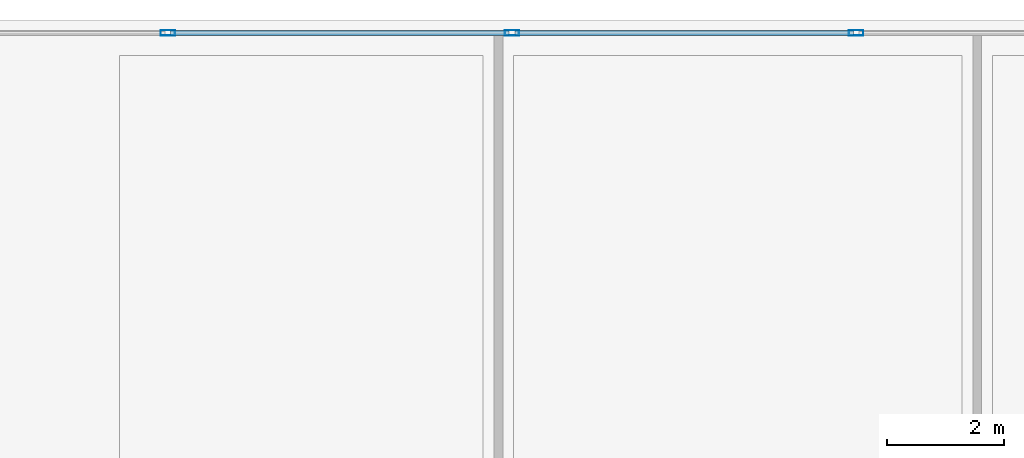
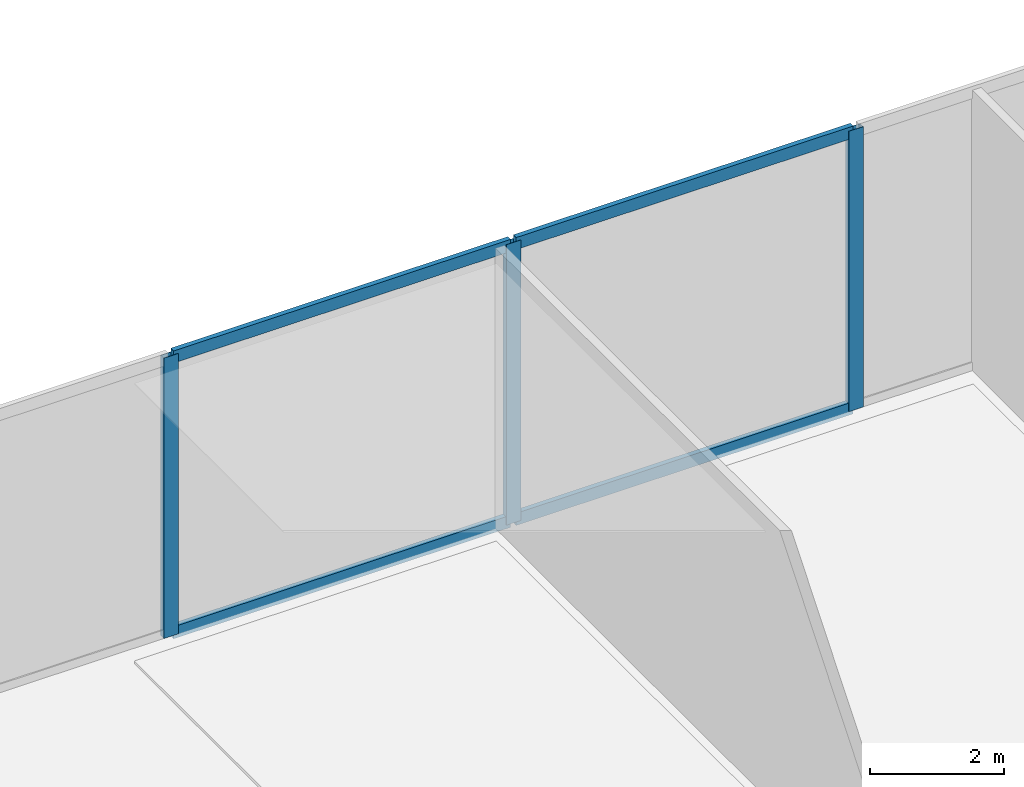
# One storey, part 17 of 28: 7 members, 1 element without a shape of its own.
"""IFC4 building model written with IfcOpenShell, lengths in metres."""

from ifc_helpers import new_model, si_unit, direction, frame, origin, origin_2d, place, context, subcontext, project, spatial, hollow_rectangle, extrude, material, layer, layer_set, material_profile, profile_set, type_object, element, aggregate, save


model = new_model("IFC4")

# Units and contexts
model_context = context("Model", 3, precision=1e-05, world=origin(), true_north=direction((0.0, 1.0)))
body_context = subcontext(model_context, "Body", "Model", "MODEL_VIEW")
ifc_project = project(units=[si_unit("LENGTHUNIT", "METRE"), si_unit("AREAUNIT", "SQUARE_METRE"), si_unit("VOLUMEUNIT", "CUBIC_METRE"), si_unit("PLANEANGLEUNIT", "RADIAN"), si_unit("MASSUNIT", "GRAM", prefix="KILO"), si_unit("THERMODYNAMICTEMPERATUREUNIT", "KELVIN"), si_unit("POWERUNIT", "WATT")], contexts=[model_context])

# Site, building, storey
site_placement = place(None, origin())
site = spatial("IfcSite", under=ifc_project, at=site_placement, CompositionType="ELEMENT")
building_placement = place(site_placement, origin())
building = spatial("IfcBuilding", under=site, at=building_placement, Name="Svarakhadi Broadcast Tower", CompositionType="ELEMENT")
storey_placement = place(building_placement, frame((0.0, 0.0, 11.10009765625)))
storey = spatial("IfcBuildingStorey", under=building, at=storey_placement, Name="L02", CompositionType="ELEMENT", Elevation=11.10009765625)

# Curtain wall, members
ifc_material = material(Name="Anodised Bronze Aluminium AA 6063-T6", Category="aluminium")
ifc_layer = layer(ifc_material, 0.25)
ifc_layer_set = layer_set([ifc_layer], Name="Anodised Bronze Aluminium AA 6063-T6")
curtain_wall_type = type_object("IfcCurtainWallType", Name="CW_Sys_01", PredefinedType="NOTDEFINED", material=ifc_layer_set)
curtain_wall_placement = place(storey_placement, origin())
curtain_wall = element("IfcCurtainWall", 1, at=curtain_wall_placement, inside=storey, type_object=curtain_wall_type, Name="L02 Unitised Facade Curtain Wall 05 Bay 2", PredefinedType="NOTDEFINED")
ifc_material_profile_1 = material_profile(ifc_material, hollow_rectangle(XDim=0.094970703125, YDim=0.25, WallThickness=0.006103515625, at=origin_2d()), Name="ALU MULLION 250x95x6")
ifc_profile_set_1 = profile_set([ifc_material_profile_1], Name="Anodised Bronze Aluminium AA 6063-T6")
member_type_1 = type_object("IfcMemberType", Name="CW_Sys_01_Mul", PredefinedType="MULLION", material=ifc_profile_set_1)
member_1_placement = place(storey_placement, frame((36.340087890625, 47.780029296875, 0.0), z_axis=(0.0, 0.0, 1.0), x_axis=(0.0, 1.0, 0.0)))
member_1 = element("IfcMember", 2, at=member_1_placement, type_object=member_type_1, Name="CW-01 mullion 5", PredefinedType="MULLION", context=body_context, shape_type="SweptSolid", body=[
    extrude(hollow_rectangle(XDim=0.094970703125, YDim=0.25, WallThickness=0.006103515625, at=origin_2d()), origin(), (0.0, 0.0, 1.0), 5.099853515625),
])
member_2_placement = place(storey_placement, frame((42.232421875, 47.780029296875, 0.0), z_axis=(0.0, 0.0, 1.0), x_axis=(0.0, 1.0, 0.0)))
member_2 = element("IfcMember", 3, at=member_2_placement, type_object=member_type_1, Name="CW-01 mullion 6", PredefinedType="MULLION", context=body_context, shape_type="SweptSolid", body=[
    extrude(hollow_rectangle(XDim=0.094970703125, YDim=0.25, WallThickness=0.006103515625, at=origin_2d()), origin(), (0.0, 0.0, 1.0), 5.099853515625),
])
member_3_placement = place(storey_placement, frame((48.125, 47.780029296875, 0.0), z_axis=(0.0, 0.0, 1.0), x_axis=(0.0, 1.0, 0.0)))
member_3 = element("IfcMember", 4, at=member_3_placement, type_object=member_type_1, Name="CW-01 mullion 7", PredefinedType="MULLION", context=body_context, shape_type="SweptSolid", body=[
    extrude(hollow_rectangle(XDim=0.094970703125, YDim=0.25, WallThickness=0.006103515625, at=origin_2d()), origin(), (0.0, 0.0, 1.0), 5.099853515625),
])
ifc_material_profile_2 = material_profile(ifc_material, hollow_rectangle(XDim=0.0849609375, YDim=0.219970703125, WallThickness=0.0048828125, at=origin_2d()), Name="ALU TRANSOM 220x85x5")
ifc_profile_set_2 = profile_set([ifc_material_profile_2], Name="Anodised Bronze Aluminium AA 6063-T6")
member_type_2 = type_object("IfcMemberType", Name="CW_Sys_01_Trn", PredefinedType="USERDEFINED", material=ifc_profile_set_2)
member_4_placement = place(storey_placement, frame((36.387451171875, 47.780029296875, 0.04248046875), z_axis=(1.0, 0.0, 0.0), x_axis=(0.0, 1.0, 0.0)))
member_4 = element("IfcMember", 5, at=member_4_placement, type_object=member_type_2, Name="CW-01 transom 5.1", ObjectType="TRANSOM", PredefinedType="USERDEFINED", context=body_context, shape_type="SweptSolid", body=[
    extrude(hollow_rectangle(XDim=0.0849609375, YDim=0.219970703125, WallThickness=0.0048828125, at=origin_2d()), origin(), (0.0, 0.0, 1.0), 5.797607421875),
])
member_5_placement = place(storey_placement, frame((36.387451171875, 47.780029296875, 5.057373046875), z_axis=(1.0, 0.0, 0.0), x_axis=(0.0, 1.0, 0.0)))
member_5 = element("IfcMember", 6, at=member_5_placement, type_object=member_type_2, Name="CW-01 transom 5.2", ObjectType="TRANSOM", PredefinedType="USERDEFINED", context=body_context, shape_type="SweptSolid", body=[
    extrude(hollow_rectangle(XDim=0.0849609375, YDim=0.219970703125, WallThickness=0.0048828125, at=origin_2d()), origin(), (0.0, 0.0, 1.0), 5.797607421875),
])
member_6_placement = place(storey_placement, frame((42.280029296875, 47.780029296875, 0.04248046875), z_axis=(1.0, 0.0, 0.0), x_axis=(0.0, 1.0, 0.0)))
member_6 = element("IfcMember", 7, at=member_6_placement, type_object=member_type_2, Name="CW-01 transom 6.1", ObjectType="TRANSOM", PredefinedType="USERDEFINED", context=body_context, shape_type="SweptSolid", body=[
    extrude(hollow_rectangle(XDim=0.0849609375, YDim=0.219970703125, WallThickness=0.0048828125, at=origin_2d()), origin(), (0.0, 0.0, 1.0), 5.79736328125),
])
member_7_placement = place(storey_placement, frame((42.280029296875, 47.780029296875, 5.057373046875), z_axis=(1.0, 0.0, 0.0), x_axis=(0.0, 1.0, 0.0)))
member_7 = element("IfcMember", 8, at=member_7_placement, type_object=member_type_2, Name="CW-01 transom 6.2", ObjectType="TRANSOM", PredefinedType="USERDEFINED", context=body_context, shape_type="SweptSolid", body=[
    extrude(hollow_rectangle(XDim=0.0849609375, YDim=0.219970703125, WallThickness=0.0048828125, at=origin_2d()), origin(), (0.0, 0.0, 1.0), 5.79736328125),
])
aggregate(curtain_wall, [member_1, member_2, member_3, member_4, member_5, member_6, member_7])

save(model, "model.ifc")
